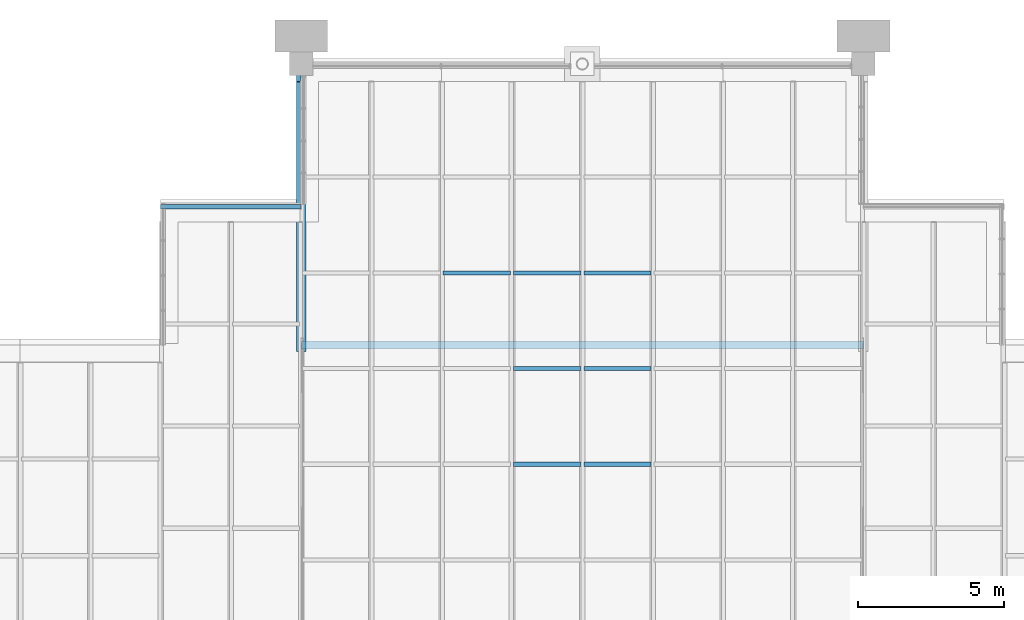
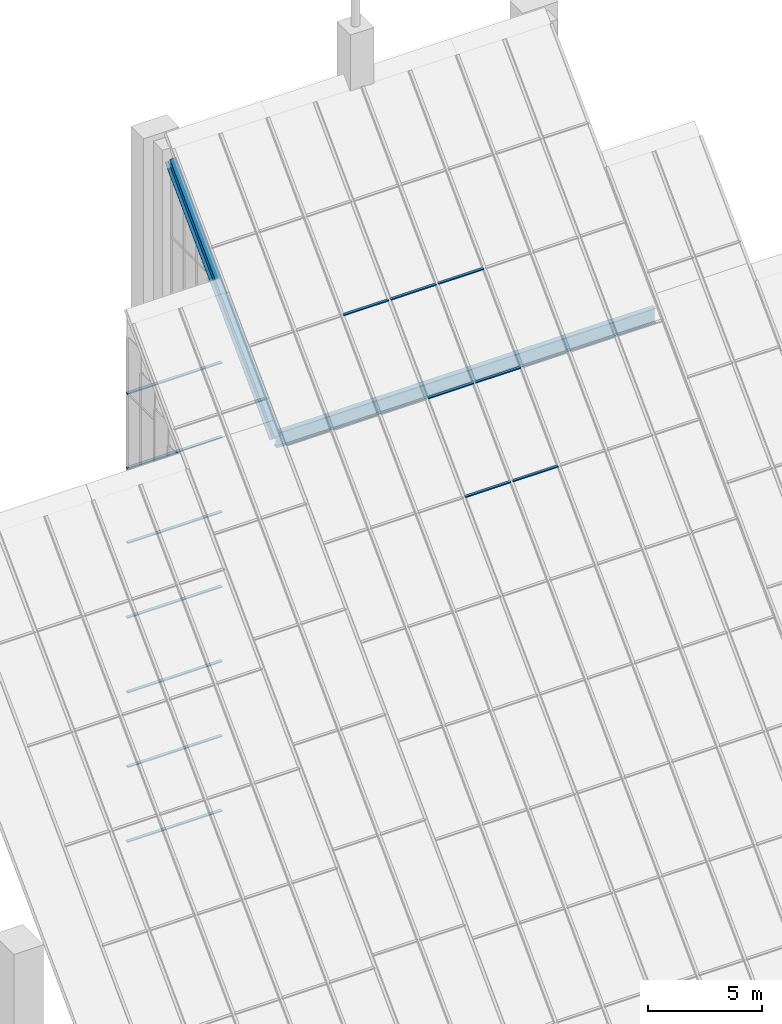
# One storey, part 6 of 25: 14 members, 2 beams, 10 elements without a shape of their own.
"""IFC4 building model written with IfcOpenShell, lengths in metres."""

import ifcopenshell
import ifcopenshell.guid

model = None  # the IFC model being written
_history = None  # IfcOwnerHistory: only IFC2X3 demands one
_inside = {}  # id of a spatial element -> (the spatial element, [elements in it])
_under = {}  # id of a project, library or spatial element -> (it, [spatial elements below it])
_declared = {}  # id of a project -> (the project, [libraries it declares])
_typed = {}  # id of a type object -> (the type object, [elements of that type])
_made_of = {}  # id of a material, layer set ... -> (it, [elements and type objects made of it])


def new_model(schema):
    """Start an empty IFC model of exactly this schema.

    Asked for "IFC4X3", IfcOpenShell would pick the latest addendum, in which some entities
    have other attributes; the version numbers below select the first issue.
    IFC2X3 requires an IfcOwnerHistory on every rooted entity: one is made here for all.
    """
    global model, _history
    if schema == "IFC4X3":
        model = ifcopenshell.file(schema_version=(4, 3, 0, 0))
    else:
        model = ifcopenshell.file(schema=schema)
    _inside.clear()
    _under.clear()
    _declared.clear()
    _typed.clear()
    _made_of.clear()
    _history = None
    if model.schema == "IFC2X3":
        org = make("IfcOrganization", Name="unknown")
        user = make(
            "IfcPersonAndOrganization",
            ThePerson=make("IfcPerson", FamilyName="unknown"),
            TheOrganization=org,
        )
        app = make(
            "IfcApplication",
            ApplicationDeveloper=org,
            Version="unknown",
            ApplicationFullName="unknown",
            ApplicationIdentifier="unknown",
        )
        _history = make(
            "IfcOwnerHistory",
            OwningUser=user,
            OwningApplication=app,
            ChangeAction="ADDED",
            CreationDate=0,
        )
    return model


def make(cls, **values):
    """One entity of the class cls with the attributes given. An attribute that is None is left unset."""
    return model.create_entity(
        cls, **{name: value for name, value in values.items() if value is not None}
    )


def rooted(cls, **values):
    """An entity with a GlobalId (a new one), such as an element, a storey or a relation."""
    return make(cls, GlobalId=ifcopenshell.guid.new(), OwnerHistory=_history, **values)


def si_unit(unit_type, name, prefix=None):
    """IfcSIUnit, for example si_unit("LENGTHUNIT", "METRE", prefix="MILLI")."""
    return make("IfcSIUnit", UnitType=unit_type, Prefix=prefix, Name=name)


def assignment(units):
    """IfcUnitAssignment: the units of a project."""
    return None if units is None else make("IfcUnitAssignment", Units=units)


def point(xyz):
    """IfcCartesianPoint."""
    return None if xyz is None else make("IfcCartesianPoint", Coordinates=xyz)


def direction(xyz):
    """IfcDirection."""
    return None if xyz is None else make("IfcDirection", DirectionRatios=xyz)


def frame(location, z_axis=None, x_axis=None):
    """IfcAxis2Placement3D, a coordinate frame: its origin and axes. An axis left out is left unset."""
    return make(
        "IfcAxis2Placement3D",
        Location=point(location),
        Axis=direction(z_axis),
        RefDirection=direction(x_axis),
    )


def frame_2d(location, x_axis=None):
    """IfcAxis2Placement2D, a coordinate frame in the plane: its origin and x axis."""
    return make(
        "IfcAxis2Placement2D", Location=point(location), RefDirection=direction(x_axis)
    )


def origin():
    """The frame at (0, 0, 0) with its axes left unset."""
    return frame((0.0, 0.0, 0.0))


def origin_2d():
    """The frame at (0, 0) in the plane with its x axis left unset."""
    return frame_2d((0.0, 0.0))


def place(relative_to, where):
    """IfcLocalPlacement: puts the frame where relative to a parent placement (None: the world)."""
    return make(
        "IfcLocalPlacement", PlacementRelTo=relative_to, RelativePlacement=where
    )


def context(
    kind, dimensions, precision=None, world=None, true_north=None, identifier=None
):
    """IfcGeometricRepresentationContext, for example the 3D "Model" context."""
    return make(
        "IfcGeometricRepresentationContext",
        ContextIdentifier=identifier,
        ContextType=kind,
        CoordinateSpaceDimension=dimensions,
        Precision=precision,
        WorldCoordinateSystem=world,
        TrueNorth=true_north,
    )


def subcontext(parent, identifier, kind, view, scale=None):
    """IfcGeometricRepresentationSubContext, for example "Body" below "Model"."""
    return make(
        "IfcGeometricRepresentationSubContext",
        ContextIdentifier=identifier,
        ContextType=kind,
        ParentContext=parent,
        TargetScale=scale,
        TargetView=view,
    )


def project(units=None, contexts=None):
    """IfcProject with its units and contexts."""
    return rooted(
        "IfcProject",
        Name="project",
        RepresentationContexts=contexts,
        UnitsInContext=assignment(units),
    )


def spatial(cls, under=None, at=None, **own):
    """A site, building, storey or space (cls), placed at a placement, below another one or the project."""
    s = rooted(cls, ObjectPlacement=at, **own)
    if under is not None:
        _under.setdefault(under.id(), (under, []))[1].append(s)
    return s


def profile(cls, at=None, kind="AREA", **sizes):
    """A parametric profile (cls). Its sizes go by their IFC names, for example OverallWidth=200.0."""
    return make(cls, ProfileType=kind, Position=at, **sizes)


def rectangle(**sizes):
    """IfcRectangleProfileDef."""
    return profile("IfcRectangleProfileDef", **sizes)


def i_section(**sizes):
    """IfcIShapeProfileDef."""
    return profile("IfcIShapeProfileDef", **sizes)


def extrude(swept, where, along, depth):
    """IfcExtrudedAreaSolid: the profile swept, set in the frame where, extruded along a direction by depth."""
    return make(
        "IfcExtrudedAreaSolid",
        SweptArea=swept,
        Position=where,
        ExtrudedDirection=direction(along),
        Depth=depth,
    )


def shape(context_of_items, identifier, shape_type, items):
    """IfcShapeRepresentation: the items that make up one representation, for example the "Body"."""
    return make(
        "IfcShapeRepresentation",
        ContextOfItems=context_of_items,
        RepresentationIdentifier=identifier,
        RepresentationType=shape_type,
        Items=items,
    )


def material(Name=None, Category=None):
    """IfcMaterial."""
    return make("IfcMaterial", Name=Name, Category=Category)


def material_profile(
    of_material, cross_section, Name=None, Category=None, Priority=None
):
    """IfcMaterialProfile: a cross section and its material."""
    return make(
        "IfcMaterialProfile",
        Name=Name,
        Material=of_material,
        Profile=cross_section,
        Priority=Priority,
        Category=Category,
    )


def profile_set(profiles, Name=None, composite=None):
    """IfcMaterialProfileSet."""
    return make(
        "IfcMaterialProfileSet",
        Name=Name,
        MaterialProfiles=profiles,
        CompositeProfile=composite,
    )


def made_of(thing, what):
    """Note that an element or type object is made of a material, layer set ...; save() writes the relation."""
    if what is not None:
        _made_of.setdefault(what.id(), (what, []))[1].append(thing)
    return thing


def type_object(cls, material=None, **own):
    """A type object (cls), such as IfcWallType, which elements share."""
    return made_of(rooted(cls, **own), material)


def element(
    cls,
    number,
    at=None,
    inside=None,
    cuts=None,
    type_object=None,
    material=None,
    context=None,
    identifier="Body",
    shape_type=None,
    held_by="IfcProductDefinitionShape",
    body=None,
    shapes=None,
    **own,
):
    """One element of the class cls, such as IfcWall. Its Tag is "e" and its number.

    at: its placement. inside: the storey or other place that contains it. cuts: it is an
    opening in that element (IfcRelVoidsElement). A single representation is given by context,
    identifier, shape_type and body (its items); several are given by shapes. held_by: the class
    of the entity that holds the representations. save() writes the other relations.
    """
    e = rooted(cls, Tag="e%d" % number, ObjectPlacement=at, **own)
    if body is not None:
        shapes = [shape(context, identifier, shape_type, body)]
    if shapes is not None:
        e.Representation = make(held_by, Representations=shapes)
    if inside is not None:
        _inside.setdefault(inside.id(), (inside, []))[1].append(e)
    if cuts is not None:
        rooted(
            "IfcRelVoidsElement", RelatingBuildingElement=cuts, RelatedOpeningElement=e
        )
    if type_object is not None:
        _typed.setdefault(type_object.id(), (type_object, []))[1].append(e)
    return made_of(e, material)


def aggregate(whole, parts):
    """IfcRelAggregates: a whole, such as a stair, and the parts it consists of."""
    return rooted("IfcRelAggregates", RelatingObject=whole, RelatedObjects=parts)


def save(model, path):
    """Write the relations noted so far, then the file.

    IfcRelAggregates (storeys below a building ...), IfcRelContainedInSpatialStructure (elements
    in a storey), IfcRelDefinesByType, IfcRelAssociatesMaterial and IfcRelDeclares: one each for
    every whole, place, type object, material and project.
    """
    for whole, parts in _under.values():
        aggregate(whole, parts)
    for where, things in _inside.values():
        rooted(
            "IfcRelContainedInSpatialStructure",
            RelatedElements=things,
            RelatingStructure=where,
        )
    for kind, things in _typed.values():
        rooted("IfcRelDefinesByType", RelatedObjects=things, RelatingType=kind)
    for what, things in _made_of.values():
        rooted("IfcRelAssociatesMaterial", RelatedObjects=things, RelatingMaterial=what)
    for by, libraries in _declared.values():
        rooted("IfcRelDeclares", RelatingContext=by, RelatedDefinitions=libraries)
    model.write(path)


model = new_model("IFC4")

# Units and contexts
model_context = context("Model", 3, precision=1e-05, world=origin(), true_north=direction((0.0, 1.0)))
body_context = subcontext(model_context, "Body", "Model", "MODEL_VIEW")
ifc_project = project(units=[si_unit("LENGTHUNIT", "METRE"), si_unit("AREAUNIT", "SQUARE_METRE"), si_unit("VOLUMEUNIT", "CUBIC_METRE"), si_unit("PLANEANGLEUNIT", "RADIAN"), si_unit("MASSUNIT", "GRAM", prefix="KILO")], contexts=[model_context])

# Site, building, storey
site_placement = place(None, origin())
site = spatial("IfcSite", under=ifc_project, at=site_placement, CompositionType="ELEMENT")
building_placement = place(site_placement, origin())
building = spatial("IfcBuilding", under=site, at=building_placement, Name="Baori Bourse Tower", CompositionType="ELEMENT")
storey_placement = place(building_placement, frame((0.0, 0.0, 378.300048828125)))
storey = spatial("IfcBuildingStorey", under=building, at=storey_placement, Name="Roof", CompositionType="ELEMENT", Elevation=378.300048828125)

# Curtain wall, member
ifc_material_1 = material(Name="Pale anodised aluminium", Category="aluminium")
curtain_wall_type_1 = type_object("IfcCurtainWallType", Name="CW3 Curtain wall", PredefinedType="NOTDEFINED", material=ifc_material_1)
curtain_wall_1_placement = place(storey_placement, origin())
curtain_wall_1 = element("IfcCurtainWall", 1, at=curtain_wall_1_placement, inside=storey, type_object=curtain_wall_type_1, Name="Curtain wall CW3 Roof 132", PredefinedType="NOTDEFINED")
ifc_material_2 = material(Name="Pale anodised aluminium", Category="aluminium")
ifc_material_profile_1 = material_profile(ifc_material_2, rectangle(XDim=0.159912109375, YDim=0.06005859375, at=origin_2d()), Name="Transom 60x160")
ifc_profile_set_1 = profile_set([ifc_material_profile_1], Name="Pale anodised aluminium")
member_type_1 = type_object("IfcMemberType", Name="CW3 Curtain wall transom", PredefinedType="USERDEFINED", material=ifc_profile_set_1)
member_1_placement = place(storey_placement, frame((19.199951171875, 43.1201171875, -0.219970703125), z_axis=(-1.0, 0.0, 0.0), x_axis=(0.0, -1.0, 0.0)))
member_1 = element("IfcMember", 2, at=member_1_placement, type_object=member_type_1, Name="Curtain wall CW3 sill rail", ObjectType="TRANSOM", PredefinedType="USERDEFINED", context=body_context, shape_type="SweptSolid", body=[
    extrude(rectangle(XDim=0.159912109375, YDim=0.06005859375, at=origin_2d()), origin(), (0.0, 0.0, 1.0), 4.800048828125),
])
aggregate(curtain_wall_1, [member_1])

curtain_wall_2_placement = place(storey_placement, origin())
curtain_wall_2 = element("IfcCurtainWall", 3, at=curtain_wall_2_placement, inside=storey, type_object=curtain_wall_type_1, Name="Curtain wall CW3 Roof 133", PredefinedType="NOTDEFINED")
member_2_placement = place(storey_placement, frame((19.199951171875, 43.1201171875, 3.780029296875), z_axis=(-1.0, 0.0, 0.0), x_axis=(0.0, -1.0, 0.0)))
member_2 = element("IfcMember", 4, at=member_2_placement, type_object=member_type_1, Name="Curtain wall CW3 sill rail", ObjectType="TRANSOM", PredefinedType="USERDEFINED", context=body_context, shape_type="SweptSolid", body=[
    extrude(rectangle(XDim=0.159912109375, YDim=0.06005859375, at=origin_2d()), origin(), (0.0, 0.0, 1.0), 4.800048828125),
])
aggregate(curtain_wall_2, [member_2])

curtain_wall_3_placement = place(storey_placement, origin())
curtain_wall_3 = element("IfcCurtainWall", 5, at=curtain_wall_3_placement, inside=storey, type_object=curtain_wall_type_1, Name="Curtain wall CW3 Roof 134", PredefinedType="NOTDEFINED")
member_3_placement = place(storey_placement, frame((19.199951171875, 43.1201171875, 7.780029296875), z_axis=(-1.0, 0.0, 0.0), x_axis=(0.0, -1.0, 0.0)))
member_3 = element("IfcMember", 6, at=member_3_placement, type_object=member_type_1, Name="Curtain wall CW3 sill rail", ObjectType="TRANSOM", PredefinedType="USERDEFINED", context=body_context, shape_type="SweptSolid", body=[
    extrude(rectangle(XDim=0.159912109375, YDim=0.06005859375, at=origin_2d()), origin(), (0.0, 0.0, 1.0), 4.800048828125),
])
aggregate(curtain_wall_3, [member_3])

curtain_wall_4_placement = place(storey_placement, origin())
curtain_wall_4 = element("IfcCurtainWall", 7, at=curtain_wall_4_placement, inside=storey, type_object=curtain_wall_type_1, Name="Curtain wall CW3 Roof 135", PredefinedType="NOTDEFINED")
member_4_placement = place(storey_placement, frame((19.199951171875, 43.1201171875, 11.780029296875), z_axis=(-1.0, 0.0, 0.0), x_axis=(0.0, -1.0, 0.0)))
member_4 = element("IfcMember", 8, at=member_4_placement, type_object=member_type_1, Name="Curtain wall CW3 sill rail", ObjectType="TRANSOM", PredefinedType="USERDEFINED", context=body_context, shape_type="SweptSolid", body=[
    extrude(rectangle(XDim=0.159912109375, YDim=0.06005859375, at=origin_2d()), origin(), (0.0, 0.0, 1.0), 4.800048828125),
])
aggregate(curtain_wall_4, [member_4])

curtain_wall_5_placement = place(storey_placement, origin())
curtain_wall_5 = element("IfcCurtainWall", 9, at=curtain_wall_5_placement, inside=storey, type_object=curtain_wall_type_1, Name="Curtain wall CW3 Roof 136", PredefinedType="NOTDEFINED")
member_5_placement = place(storey_placement, frame((19.199951171875, 43.1201171875, 15.780029296875), z_axis=(-1.0, 0.0, 0.0), x_axis=(0.0, -1.0, 0.0)))
member_5 = element("IfcMember", 10, at=member_5_placement, type_object=member_type_1, Name="Curtain wall CW3 sill rail", ObjectType="TRANSOM", PredefinedType="USERDEFINED", context=body_context, shape_type="SweptSolid", body=[
    extrude(rectangle(XDim=0.159912109375, YDim=0.06005859375, at=origin_2d()), origin(), (0.0, 0.0, 1.0), 4.800048828125),
])
aggregate(curtain_wall_5, [member_5])

curtain_wall_6_placement = place(storey_placement, origin())
curtain_wall_6 = element("IfcCurtainWall", 11, at=curtain_wall_6_placement, inside=storey, type_object=curtain_wall_type_1, Name="Curtain wall CW3 Roof 137", PredefinedType="NOTDEFINED")
member_6_placement = place(storey_placement, frame((19.199951171875, 43.1201171875, 19.780029296875), z_axis=(-1.0, 0.0, 0.0), x_axis=(0.0, -1.0, 0.0)))
member_6 = element("IfcMember", 12, at=member_6_placement, type_object=member_type_1, Name="Curtain wall CW3 sill rail", ObjectType="TRANSOM", PredefinedType="USERDEFINED", context=body_context, shape_type="SweptSolid", body=[
    extrude(rectangle(XDim=0.159912109375, YDim=0.06005859375, at=origin_2d()), origin(), (0.0, 0.0, 1.0), 4.800048828125),
])
aggregate(curtain_wall_6, [member_6])

curtain_wall_7_placement = place(storey_placement, origin())
curtain_wall_7 = element("IfcCurtainWall", 13, at=curtain_wall_7_placement, inside=storey, type_object=curtain_wall_type_1, Name="Curtain wall CW3 Roof 138", PredefinedType="NOTDEFINED")
member_7_placement = place(storey_placement, frame((19.199951171875, 43.1201171875, 23.780029296875), z_axis=(-1.0, 0.0, 0.0), x_axis=(0.0, -1.0, 0.0)))
member_7 = element("IfcMember", 14, at=member_7_placement, type_object=member_type_1, Name="Curtain wall CW3 sill rail", ObjectType="TRANSOM", PredefinedType="USERDEFINED", context=body_context, shape_type="SweptSolid", body=[
    extrude(rectangle(XDim=0.159912109375, YDim=0.06005859375, at=origin_2d()), origin(), (0.0, 0.0, 1.0), 4.800048828125),
])
aggregate(curtain_wall_7, [member_7])

ifc_material_3 = material(Name="Pale anodised aluminium", Category="aluminium")
curtain_wall_type_2 = type_object("IfcCurtainWallType", Name="CW4 Curtain wall", PredefinedType="NOTDEFINED", material=ifc_material_3)
curtain_wall_8_placement = place(storey_placement, origin())
curtain_wall_8 = element("IfcCurtainWall", 15, at=curtain_wall_8_placement, inside=storey, type_object=curtain_wall_type_2, Name="Curtain wall CW4 roof glazing 13", PredefinedType="NOTDEFINED")
ifc_material_4 = material(Name="Pale anodised aluminium", Category="aluminium")
ifc_material_profile_2 = material_profile(ifc_material_4, rectangle(XDim=0.139892578125, YDim=0.054931640625, at=origin_2d()), Name="Transom 55x140")
ifc_profile_set_2 = profile_set([ifc_material_profile_2], Name="Pale anodised aluminium")
member_type_2 = type_object("IfcMemberType", Name="CW4 Curtain wall transom", PredefinedType="USERDEFINED", material=ifc_profile_set_2)
member_8_placement = place(storey_placement, frame((24.050048828125, 40.86474609375, 25.97509765625), z_axis=(1.0, 0.0, 0.0), x_axis=(0.0, 1.0, 0.0)))
member_8 = element("IfcMember", 16, at=member_8_placement, type_object=member_type_2, Name="Curtain wall CW4 cross bar 13.8", ObjectType="TRANSOM", PredefinedType="USERDEFINED", context=body_context, shape_type="SweptSolid", body=[
    extrude(rectangle(XDim=0.139892578125, YDim=0.054931640625, at=origin_2d()), origin(), (0.0, 0.0, 1.0), 2.300048828125),
])
aggregate(curtain_wall_8, [member_8])

# Curtain wall, members
curtain_wall_9_placement = place(storey_placement, origin())
curtain_wall_9 = element("IfcCurtainWall", 17, at=curtain_wall_9_placement, inside=storey, type_object=curtain_wall_type_2, Name="Curtain wall CW4 roof glazing 15", PredefinedType="NOTDEFINED")
member_9_placement = place(storey_placement, frame((26.449951171875, 34.329345703125, 19.358154296875), z_axis=(1.0, 0.0, 0.0), x_axis=(0.0, 1.0, 0.0)))
member_9 = element("IfcMember", 18, at=member_9_placement, type_object=member_type_2, Name="Curtain wall CW4 cross bar 15.6", ObjectType="TRANSOM", PredefinedType="USERDEFINED", context=body_context, shape_type="SweptSolid", body=[
    extrude(rectangle(XDim=0.139892578125, YDim=0.054931640625, at=origin_2d()), origin(), (0.0, 0.0, 1.0), 2.300048828125),
])
member_10_placement = place(storey_placement, frame((26.449951171875, 37.596923828125, 22.66650390625), z_axis=(1.0, 0.0, 0.0), x_axis=(0.0, 1.0, 0.0)))
member_10 = element("IfcMember", 19, at=member_10_placement, type_object=member_type_2, Name="Curtain wall CW4 cross bar 15.7", ObjectType="TRANSOM", PredefinedType="USERDEFINED", context=body_context, shape_type="SweptSolid", body=[
    extrude(rectangle(XDim=0.139892578125, YDim=0.054931640625, at=origin_2d()), origin(), (0.0, 0.0, 1.0), 2.300048828125),
])
member_11_placement = place(storey_placement, frame((26.449951171875, 40.86474609375, 25.97509765625), z_axis=(1.0, 0.0, 0.0), x_axis=(0.0, 1.0, 0.0)))
member_11 = element("IfcMember", 20, at=member_11_placement, type_object=member_type_2, Name="Curtain wall CW4 cross bar 15.8", ObjectType="TRANSOM", PredefinedType="USERDEFINED", context=body_context, shape_type="SweptSolid", body=[
    extrude(rectangle(XDim=0.139892578125, YDim=0.054931640625, at=origin_2d()), origin(), (0.0, 0.0, 1.0), 2.300048828125),
])
aggregate(curtain_wall_9, [member_9, member_10, member_11])

curtain_wall_10_placement = place(storey_placement, origin())
curtain_wall_10 = element("IfcCurtainWall", 21, at=curtain_wall_10_placement, inside=storey, type_object=curtain_wall_type_2, Name="Curtain wall CW4 roof glazing 17", PredefinedType="NOTDEFINED")
member_12_placement = place(storey_placement, frame((28.85009765625, 34.329345703125, 19.358154296875), z_axis=(1.0, 0.0, 0.0), x_axis=(0.0, 1.0, 0.0)))
member_12 = element("IfcMember", 22, at=member_12_placement, type_object=member_type_2, Name="Curtain wall CW4 cross bar 17.6", ObjectType="TRANSOM", PredefinedType="USERDEFINED", context=body_context, shape_type="SweptSolid", body=[
    extrude(rectangle(XDim=0.139892578125, YDim=0.054931640625, at=origin_2d()), origin(), (0.0, 0.0, 1.0), 2.2998046875),
])
member_13_placement = place(storey_placement, frame((28.85009765625, 37.596923828125, 22.66650390625), z_axis=(1.0, 0.0, 0.0), x_axis=(0.0, 1.0, 0.0)))
member_13 = element("IfcMember", 23, at=member_13_placement, type_object=member_type_2, Name="Curtain wall CW4 cross bar 17.7", ObjectType="TRANSOM", PredefinedType="USERDEFINED", context=body_context, shape_type="SweptSolid", body=[
    extrude(rectangle(XDim=0.139892578125, YDim=0.054931640625, at=origin_2d()), origin(), (0.0, 0.0, 1.0), 2.2998046875),
])
member_14_placement = place(storey_placement, frame((28.85009765625, 40.86474609375, 25.97509765625), z_axis=(1.0, 0.0, 0.0), x_axis=(0.0, 1.0, 0.0)))
member_14 = element("IfcMember", 24, at=member_14_placement, type_object=member_type_2, Name="Curtain wall CW4 cross bar 17.8", ObjectType="TRANSOM", PredefinedType="USERDEFINED", context=body_context, shape_type="SweptSolid", body=[
    extrude(rectangle(XDim=0.139892578125, YDim=0.054931640625, at=origin_2d()), origin(), (0.0, 0.0, 1.0), 2.2998046875),
])
aggregate(curtain_wall_10, [member_12, member_13, member_14])

# Beams
ifc_material_5 = material(Name="Steel A992 Gr 50", Category="steel")
ifc_material_profile_3 = material_profile(ifc_material_5, i_section(OverallWidth=0.3251953125, OverallDepth=0.612060546875, WebThickness=0.0126953125, FlangeThickness=0.01904296875, at=origin_2d()), Name="W24x104")
ifc_profile_set_3 = profile_set([ifc_material_profile_3], Name="Steel A992 Gr 50")
beam_type_1 = type_object("IfcBeamType", Name="Rafter W24x104", PredefinedType="BEAM", material=ifc_profile_set_3)
beam_1_placement = place(storey_placement, frame((19.199951171875, 38.39990234375, 22.58154296875), z_axis=(0.0, 0.702711048158, 0.711475356422), x_axis=(-1.0, 0.0, 0.0)))
element("IfcBeam", 25, at=beam_1_placement, inside=storey, type_object=beam_type_1, Name="Rafter Roof", PredefinedType="BEAM", context=body_context, shape_type="SweptSolid", body=[
    extrude(i_section(OverallWidth=0.3251953125, OverallDepth=0.612060546875, WebThickness=0.0126953125, FlangeThickness=0.01904296875, at=origin_2d()), origin(), (0.0, 0.0, 1.0), 13.092529296875),
])
ifc_material_6 = material(Name="Steel A992 Gr 50", Category="steel")
ifc_material_profile_4 = material_profile(ifc_material_6, i_section(OverallWidth=0.2666015625, OverallDepth=0.76953125, WebThickness=0.015625, FlangeThickness=0.025390625, at=origin_2d()), Name="W30x132")
ifc_profile_set_4 = profile_set([ifc_material_profile_4], Name="Steel A992 Gr 50")
beam_type_2 = type_object("IfcBeamType", Name="Roof purlin W30x132", PredefinedType="BEAM", material=ifc_profile_set_4)
beam_2_placement = place(storey_placement, frame((19.199951171875, 38.39990234375, 22.499267578125), z_axis=(1.0, 0.0, 0.0), x_axis=(0.0, 1.0, 0.0)))
element("IfcBeam", 26, at=beam_2_placement, inside=storey, type_object=beam_type_2, Name="Roof purlin Roof", PredefinedType="BEAM", context=body_context, shape_type="SweptSolid", body=[
    extrude(i_section(OverallWidth=0.2666015625, OverallDepth=0.76953125, WebThickness=0.015625, FlangeThickness=0.025390625, at=origin_2d()), origin(), (0.0, 0.0, 1.0), 19.199951171875),
])

save(model, "model.ifc")
